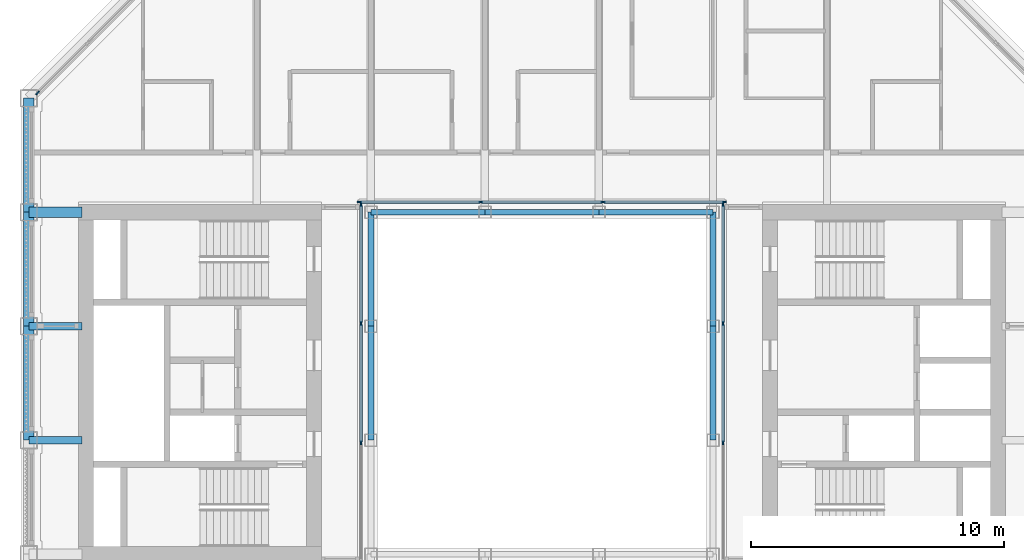
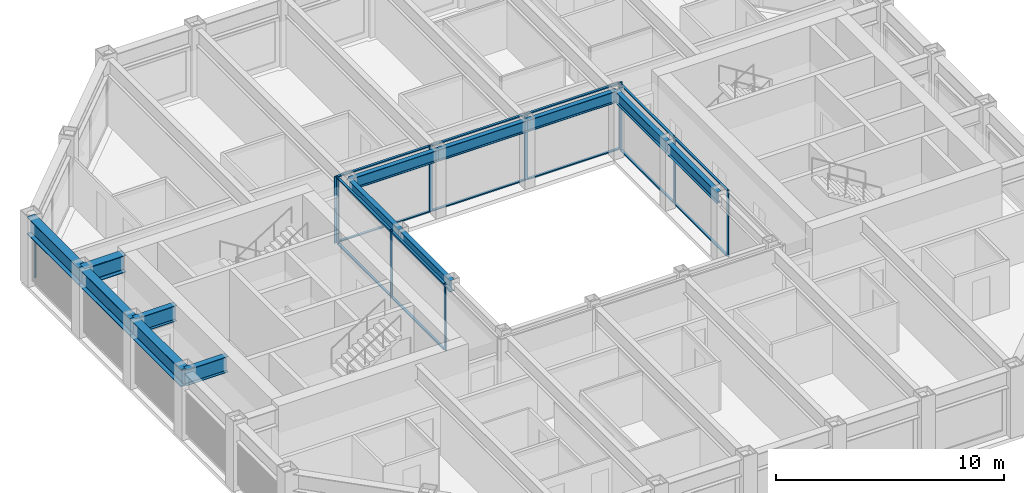
# One storey, part 4 of 18: 25 members, 13 beams, 4 elements without a shape of their own.
"""IFC4 building model written with IfcOpenShell, lengths in metres."""

from ifc_helpers import new_model, si_unit, direction, frame, origin, origin_2d, place, context, subcontext, project, spatial, rectangle, i_section, extrude, material, material_profile, profile_set, type_object, element, aggregate, save


model = new_model("IFC4")

# Units and contexts
model_context = context("Model", 3, precision=1e-05, world=origin(), true_north=direction((0.0, 1.0)))
body_context = subcontext(model_context, "Body", "Model", "MODEL_VIEW")
ifc_project = project(units=[si_unit("LENGTHUNIT", "METRE"), si_unit("AREAUNIT", "SQUARE_METRE"), si_unit("VOLUMEUNIT", "CUBIC_METRE"), si_unit("PLANEANGLEUNIT", "RADIAN"), si_unit("MASSUNIT", "GRAM", prefix="KILO")], contexts=[model_context])

# Site, building, storey
site_placement = place(None, origin())
site = spatial("IfcSite", under=ifc_project, at=site_placement, CompositionType="ELEMENT")
building_placement = place(site_placement, origin())
building = spatial("IfcBuilding", under=site, at=building_placement, Name="Msasa Ring Tower", CompositionType="ELEMENT")
storey_placement = place(building_placement, frame((0.0, 0.0, 230.800048828125)))
storey = spatial("IfcBuildingStorey", under=building, at=storey_placement, Name="L60", CompositionType="ELEMENT", Elevation=230.800048828125)

# Curtain wall, member
ifc_material_1 = material(Name="Aluminium curtain wall with clear glass", Category="aluminium")
curtain_wall_type_1 = type_object("IfcCurtainWallType", Name="CW-C CHAMFER CORNER CURTAIN WALL", PredefinedType="NOTDEFINED", material=ifc_material_1)
curtain_wall_1_placement = place(storey_placement, origin())
curtain_wall_1 = element("IfcCurtainWall", 1, at=curtain_wall_1_placement, inside=storey, type_object=curtain_wall_type_1, Name="Chamfer corner curtain wall NW L60", PredefinedType="NOTDEFINED")
ifc_material_2 = material(Name="Aluminium mullion", Category="aluminium")
ifc_material_profile_1 = material_profile(ifc_material_2, rectangle(XDim=0.06494140625, YDim=0.179931640625, at=origin_2d()), Name="AL 65x180")
ifc_profile_set_1 = profile_set([ifc_material_profile_1], Name="Aluminium mullion")
member_type_1 = type_object("IfcMemberType", Name="CW-C MULLION 65x180", PredefinedType="MULLION", material=ifc_profile_set_1)
member_1_placement = place(storey_placement, frame((-19.9052734375, 11.453369140625, 0.0), z_axis=(0.0, 0.0, 1.0), x_axis=(0.707106781187, -0.707106781187, 0.0)))
member_1 = element("IfcMember", 2, at=member_1_placement, type_object=member_type_1, Name="CW-C mullion 3", PredefinedType="MULLION", context=body_context, shape_type="SweptSolid", body=[
    extrude(rectangle(XDim=0.06494140625, YDim=0.179931640625, at=origin_2d()), origin(), (0.0, 0.0, 1.0), 2.62890625),
])
aggregate(curtain_wall_1, [member_1])

# Curtain wall, members
ifc_material_3 = material(Name="Aluminium curtain wall with clear glass", Category="aluminium")
curtain_wall_type_2 = type_object("IfcCurtainWallType", Name="CW-W LIGHT WELL CURTAIN WALL", PredefinedType="NOTDEFINED", material=ifc_material_3)
curtain_wall_2_placement = place(storey_placement, origin())
curtain_wall_2 = element("IfcCurtainWall", 3, at=curtain_wall_2_placement, inside=storey, type_object=curtain_wall_type_2, Name="Light well curtain wall N L60", PredefinedType="NOTDEFINED")
ifc_material_4 = material(Name="Aluminium mullion", Category="aluminium")
ifc_material_profile_2 = material_profile(ifc_material_4, rectangle(XDim=0.06005859375, YDim=0.159912109375, at=origin_2d()), Name="AL 60x160")
ifc_profile_set_2 = profile_set([ifc_material_profile_2], Name="Aluminium mullion")
member_type_2 = type_object("IfcMemberType", Name="CW-W MULLION 60x160", PredefinedType="MULLION", material=ifc_profile_set_2)
member_2_placement = place(storey_placement, frame((-7.199951171875, 7.14990234375, 0.0), z_axis=(0.0, 0.0, 1.0), x_axis=(0.0, 1.0, 0.0)))
member_2 = element("IfcMember", 4, at=member_2_placement, type_object=member_type_2, Name="CW-W mullion 1", PredefinedType="MULLION", context=body_context, shape_type="SweptSolid", body=[
    extrude(rectangle(XDim=0.06005859375, YDim=0.159912109375, at=origin_2d()), origin(), (0.0, 0.0, 1.0), 3.550048828125),
])
member_3_placement = place(storey_placement, frame((-2.409912109375, 7.14990234375, 0.0), z_axis=(0.0, 0.0, 1.0), x_axis=(0.0, 1.0, 0.0)))
member_3 = element("IfcMember", 5, at=member_3_placement, type_object=member_type_2, Name="CW-W mullion 2", PredefinedType="MULLION", context=body_context, shape_type="SweptSolid", body=[
    extrude(rectangle(XDim=0.06005859375, YDim=0.159912109375, at=origin_2d()), origin(), (0.0, 0.0, 1.0), 3.550048828125),
])
member_4_placement = place(storey_placement, frame((2.409912109375, 7.14990234375, 0.0), z_axis=(0.0, 0.0, 1.0), x_axis=(0.0, 1.0, 0.0)))
member_4 = element("IfcMember", 6, at=member_4_placement, type_object=member_type_2, Name="CW-W mullion 3", PredefinedType="MULLION", context=body_context, shape_type="SweptSolid", body=[
    extrude(rectangle(XDim=0.06005859375, YDim=0.159912109375, at=origin_2d()), origin(), (0.0, 0.0, 1.0), 3.550048828125),
])
member_5_placement = place(storey_placement, frame((7.199951171875, 7.14990234375, 0.0), z_axis=(0.0, 0.0, 1.0), x_axis=(0.0, 1.0, 0.0)))
member_5 = element("IfcMember", 7, at=member_5_placement, type_object=member_type_2, Name="CW-W mullion 4", PredefinedType="MULLION", context=body_context, shape_type="SweptSolid", body=[
    extrude(rectangle(XDim=0.06005859375, YDim=0.159912109375, at=origin_2d()), origin(), (0.0, 0.0, 1.0), 3.550048828125),
])

curtain_wall_3_placement = place(storey_placement, origin())
curtain_wall_3 = element("IfcCurtainWall", 8, at=curtain_wall_3_placement, inside=storey, type_object=curtain_wall_type_2, Name="Light well curtain wall E L60", PredefinedType="NOTDEFINED")
member_6_placement = place(storey_placement, frame((7.14990234375, -2.356689453125, 0.0), z_axis=(0.0, 0.0, 1.0), x_axis=(-1.0, 0.0, 0.0)))
member_6 = element("IfcMember", 9, at=member_6_placement, type_object=member_type_2, Name="CW-W mullion 2", PredefinedType="MULLION", context=body_context, shape_type="SweptSolid", body=[
    extrude(rectangle(XDim=0.06005859375, YDim=0.159912109375, at=origin_2d()), origin(), (0.0, 0.0, 1.0), 3.550048828125),
])
member_7_placement = place(storey_placement, frame((7.14990234375, 2.356689453125, 0.0), z_axis=(0.0, 0.0, 1.0), x_axis=(-1.0, 0.0, 0.0)))
member_7 = element("IfcMember", 10, at=member_7_placement, type_object=member_type_2, Name="CW-W mullion 3", PredefinedType="MULLION", context=body_context, shape_type="SweptSolid", body=[
    extrude(rectangle(XDim=0.06005859375, YDim=0.159912109375, at=origin_2d()), origin(), (0.0, 0.0, 1.0), 3.550048828125),
])
member_8_placement = place(storey_placement, frame((7.14990234375, 7.0400390625, 0.0), z_axis=(0.0, 0.0, 1.0), x_axis=(-1.0, 0.0, 0.0)))
member_8 = element("IfcMember", 11, at=member_8_placement, type_object=member_type_2, Name="CW-W mullion 4", PredefinedType="MULLION", context=body_context, shape_type="SweptSolid", body=[
    extrude(rectangle(XDim=0.06005859375, YDim=0.159912109375, at=origin_2d()), origin(), (0.0, 0.0, 1.0), 3.550048828125),
])

curtain_wall_4_placement = place(storey_placement, origin())
curtain_wall_4 = element("IfcCurtainWall", 12, at=curtain_wall_4_placement, inside=storey, type_object=curtain_wall_type_2, Name="Light well curtain wall W L60", PredefinedType="NOTDEFINED")
member_9_placement = place(storey_placement, frame((-7.14990234375, -2.356689453125, 0.0), z_axis=(0.0, 0.0, 1.0), x_axis=(-1.0, 0.0, 0.0)))
member_9 = element("IfcMember", 13, at=member_9_placement, type_object=member_type_2, Name="CW-W mullion 2", PredefinedType="MULLION", context=body_context, shape_type="SweptSolid", body=[
    extrude(rectangle(XDim=0.06005859375, YDim=0.159912109375, at=origin_2d()), origin(), (0.0, 0.0, 1.0), 3.550048828125),
])
member_10_placement = place(storey_placement, frame((-7.14990234375, 2.356689453125, 0.0), z_axis=(0.0, 0.0, 1.0), x_axis=(-1.0, 0.0, 0.0)))
member_10 = element("IfcMember", 14, at=member_10_placement, type_object=member_type_2, Name="CW-W mullion 3", PredefinedType="MULLION", context=body_context, shape_type="SweptSolid", body=[
    extrude(rectangle(XDim=0.06005859375, YDim=0.159912109375, at=origin_2d()), origin(), (0.0, 0.0, 1.0), 3.550048828125),
])
member_11_placement = place(storey_placement, frame((-7.14990234375, 7.0400390625, 0.0), z_axis=(0.0, 0.0, 1.0), x_axis=(-1.0, 0.0, 0.0)))
member_11 = element("IfcMember", 15, at=member_11_placement, type_object=member_type_2, Name="CW-W mullion 4", PredefinedType="MULLION", context=body_context, shape_type="SweptSolid", body=[
    extrude(rectangle(XDim=0.06005859375, YDim=0.159912109375, at=origin_2d()), origin(), (0.0, 0.0, 1.0), 3.550048828125),
])

# Member
ifc_material_5 = material(Name="Aluminium transom", Category="aluminium")
ifc_material_profile_3 = material_profile(ifc_material_5, rectangle(XDim=0.1201171875, YDim=0.06005859375, at=origin_2d()), Name="AL 60x120")
ifc_profile_set_3 = profile_set([ifc_material_profile_3], Name="Aluminium transom")
member_type_3 = type_object("IfcMemberType", Name="CW-W TRANSOM 60x120", PredefinedType="USERDEFINED", material=ifc_profile_set_3)
member_12_placement = place(storey_placement, frame((-7.169921875, 7.14990234375, 0.030029296875), z_axis=(1.0, 0.0, 0.0), x_axis=(0.0, 1.0, 0.0)))
member_12 = element("IfcMember", 16, at=member_12_placement, type_object=member_type_3, Name="CW-W transom 1.1", ObjectType="TRANSOM", PredefinedType="USERDEFINED", context=body_context, shape_type="SweptSolid", body=[
    extrude(rectangle(XDim=0.1201171875, YDim=0.06005859375, at=origin_2d()), origin(), (0.0, 0.0, 1.0), 4.72998046875),
])

member_13_placement = place(storey_placement, frame((-7.169921875, 7.14990234375, 3.52001953125), z_axis=(1.0, 0.0, 0.0), x_axis=(0.0, 1.0, 0.0)))
member_13 = element("IfcMember", 17, at=member_13_placement, type_object=member_type_3, Name="CW-W transom 1.2", ObjectType="TRANSOM", PredefinedType="USERDEFINED", context=body_context, shape_type="SweptSolid", body=[
    extrude(rectangle(XDim=0.1201171875, YDim=0.06005859375, at=origin_2d()), origin(), (0.0, 0.0, 1.0), 4.72998046875),
])

member_14_placement = place(storey_placement, frame((-2.3798828125, 7.14990234375, 0.030029296875), z_axis=(1.0, 0.0, 0.0), x_axis=(0.0, 1.0, 0.0)))
member_14 = element("IfcMember", 18, at=member_14_placement, type_object=member_type_3, Name="CW-W transom 2.1", ObjectType="TRANSOM", PredefinedType="USERDEFINED", context=body_context, shape_type="SweptSolid", body=[
    extrude(rectangle(XDim=0.1201171875, YDim=0.06005859375, at=origin_2d()), origin(), (0.0, 0.0, 1.0), 4.759765625),
])

member_15_placement = place(storey_placement, frame((-2.3798828125, 7.14990234375, 3.52001953125), z_axis=(1.0, 0.0, 0.0), x_axis=(0.0, 1.0, 0.0)))
member_15 = element("IfcMember", 19, at=member_15_placement, type_object=member_type_3, Name="CW-W transom 2.2", ObjectType="TRANSOM", PredefinedType="USERDEFINED", context=body_context, shape_type="SweptSolid", body=[
    extrude(rectangle(XDim=0.1201171875, YDim=0.06005859375, at=origin_2d()), origin(), (0.0, 0.0, 1.0), 4.759765625),
])

member_16_placement = place(storey_placement, frame((2.43994140625, 7.14990234375, 0.030029296875), z_axis=(1.0, 0.0, 0.0), x_axis=(0.0, 1.0, 0.0)))
member_16 = element("IfcMember", 20, at=member_16_placement, type_object=member_type_3, Name="CW-W transom 3.1", ObjectType="TRANSOM", PredefinedType="USERDEFINED", context=body_context, shape_type="SweptSolid", body=[
    extrude(rectangle(XDim=0.1201171875, YDim=0.06005859375, at=origin_2d()), origin(), (0.0, 0.0, 1.0), 4.72998046875),
])

member_17_placement = place(storey_placement, frame((2.43994140625, 7.14990234375, 3.52001953125), z_axis=(1.0, 0.0, 0.0), x_axis=(0.0, 1.0, 0.0)))
member_17 = element("IfcMember", 21, at=member_17_placement, type_object=member_type_3, Name="CW-W transom 3.2", ObjectType="TRANSOM", PredefinedType="USERDEFINED", context=body_context, shape_type="SweptSolid", body=[
    extrude(rectangle(XDim=0.1201171875, YDim=0.06005859375, at=origin_2d()), origin(), (0.0, 0.0, 1.0), 4.72998046875),
])

aggregate(curtain_wall_2, [member_2, member_3, member_4, member_5, member_12, member_13, member_14, member_15, member_16, member_17])

member_18_placement = place(storey_placement, frame((7.14990234375, -2.32666015625, 0.030029296875), z_axis=(0.0, 1.0, 0.0), x_axis=(-1.0, 0.0, 0.0)))
member_18 = element("IfcMember", 22, at=member_18_placement, type_object=member_type_3, Name="CW-W transom 2.1", ObjectType="TRANSOM", PredefinedType="USERDEFINED", context=body_context, shape_type="SweptSolid", body=[
    extrude(rectangle(XDim=0.1201171875, YDim=0.06005859375, at=origin_2d()), origin(), (0.0, 0.0, 1.0), 4.6533203125),
])

member_19_placement = place(storey_placement, frame((7.14990234375, -2.32666015625, 3.52001953125), z_axis=(0.0, 1.0, 0.0), x_axis=(-1.0, 0.0, 0.0)))
member_19 = element("IfcMember", 23, at=member_19_placement, type_object=member_type_3, Name="CW-W transom 2.2", ObjectType="TRANSOM", PredefinedType="USERDEFINED", context=body_context, shape_type="SweptSolid", body=[
    extrude(rectangle(XDim=0.1201171875, YDim=0.06005859375, at=origin_2d()), origin(), (0.0, 0.0, 1.0), 4.6533203125),
])

member_20_placement = place(storey_placement, frame((7.14990234375, 2.38671875, 0.030029296875), z_axis=(0.0, 1.0, 0.0), x_axis=(-1.0, 0.0, 0.0)))
member_20 = element("IfcMember", 24, at=member_20_placement, type_object=member_type_3, Name="CW-W transom 3.1", ObjectType="TRANSOM", PredefinedType="USERDEFINED", context=body_context, shape_type="SweptSolid", body=[
    extrude(rectangle(XDim=0.1201171875, YDim=0.06005859375, at=origin_2d()), origin(), (0.0, 0.0, 1.0), 4.623291015625),
])

member_21_placement = place(storey_placement, frame((7.14990234375, 2.38671875, 3.52001953125), z_axis=(0.0, 1.0, 0.0), x_axis=(-1.0, 0.0, 0.0)))
member_21 = element("IfcMember", 25, at=member_21_placement, type_object=member_type_3, Name="CW-W transom 3.2", ObjectType="TRANSOM", PredefinedType="USERDEFINED", context=body_context, shape_type="SweptSolid", body=[
    extrude(rectangle(XDim=0.1201171875, YDim=0.06005859375, at=origin_2d()), origin(), (0.0, 0.0, 1.0), 4.623291015625),
])

aggregate(curtain_wall_3, [member_6, member_7, member_8, member_18, member_19, member_20, member_21])

member_22_placement = place(storey_placement, frame((-7.14990234375, -2.32666015625, 0.030029296875), z_axis=(0.0, 1.0, 0.0), x_axis=(-1.0, 0.0, 0.0)))
member_22 = element("IfcMember", 26, at=member_22_placement, type_object=member_type_3, Name="CW-W transom 2.1", ObjectType="TRANSOM", PredefinedType="USERDEFINED", context=body_context, shape_type="SweptSolid", body=[
    extrude(rectangle(XDim=0.1201171875, YDim=0.06005859375, at=origin_2d()), origin(), (0.0, 0.0, 1.0), 4.6533203125),
])

member_23_placement = place(storey_placement, frame((-7.14990234375, -2.32666015625, 3.52001953125), z_axis=(0.0, 1.0, 0.0), x_axis=(-1.0, 0.0, 0.0)))
member_23 = element("IfcMember", 27, at=member_23_placement, type_object=member_type_3, Name="CW-W transom 2.2", ObjectType="TRANSOM", PredefinedType="USERDEFINED", context=body_context, shape_type="SweptSolid", body=[
    extrude(rectangle(XDim=0.1201171875, YDim=0.06005859375, at=origin_2d()), origin(), (0.0, 0.0, 1.0), 4.6533203125),
])

member_24_placement = place(storey_placement, frame((-7.14990234375, 2.38671875, 0.030029296875), z_axis=(0.0, 1.0, 0.0), x_axis=(-1.0, 0.0, 0.0)))
member_24 = element("IfcMember", 28, at=member_24_placement, type_object=member_type_3, Name="CW-W transom 3.1", ObjectType="TRANSOM", PredefinedType="USERDEFINED", context=body_context, shape_type="SweptSolid", body=[
    extrude(rectangle(XDim=0.1201171875, YDim=0.06005859375, at=origin_2d()), origin(), (0.0, 0.0, 1.0), 4.623291015625),
])

member_25_placement = place(storey_placement, frame((-7.14990234375, 2.38671875, 3.52001953125), z_axis=(0.0, 1.0, 0.0), x_axis=(-1.0, 0.0, 0.0)))
member_25 = element("IfcMember", 29, at=member_25_placement, type_object=member_type_3, Name="CW-W transom 3.2", ObjectType="TRANSOM", PredefinedType="USERDEFINED", context=body_context, shape_type="SweptSolid", body=[
    extrude(rectangle(XDim=0.1201171875, YDim=0.06005859375, at=origin_2d()), origin(), (0.0, 0.0, 1.0), 4.623291015625),
])

aggregate(curtain_wall_4, [member_9, member_10, member_11, member_22, member_23, member_24, member_25])

# Beams
ifc_material_6 = material(Name="Steel S355", Category="steel")
ifc_material_profile_4 = material_profile(ifc_material_6, i_section(OverallWidth=0.293701171875, OverallDepth=0.850830078125, WebThickness=0.01611328125, FlangeThickness=0.02685546875, FilletRadius=0.017822265625, at=origin_2d()), Name="UB 838x292x226")
ifc_profile_set_4 = profile_set([ifc_material_profile_4], Name="Steel S355")
beam_type_1 = type_object("IfcBeamType", Name="FB5 UB 838x292x226", PredefinedType="BEAM", material=ifc_profile_set_4)
for number, where, z_axis, x_axis, name in (
    (30, (-20.25, -2.25, 3.12451171875), (1.0, 0.0, 0.0), (0.0, 1.0, 0.0), "Floor beam W -2.25 under L61"),
    (31, (-20.25, 2.25, 3.12451171875), (1.0, 0.0, 0.0), (0.0, 1.0, 0.0), "Floor beam W +2.25 under L61"),
):
    element("IfcBeam", number, at=place(storey_placement, frame(where, z_axis=z_axis, x_axis=x_axis)), inside=storey, type_object=beam_type_1, Name=name, PredefinedType="BEAM", context=body_context, shape_type="SweptSolid", body=[
        extrude(i_section(OverallWidth=0.293701171875, OverallDepth=0.850830078125, WebThickness=0.01611328125, FlangeThickness=0.02685546875, FilletRadius=0.017822265625, at=origin_2d()), origin(), (0.0, 0.0, 1.0), 2.10009765625),
    ])
ifc_material_7 = material(Name="Steel S355", Category="steel")
ifc_material_profile_5 = material_profile(ifc_material_7, i_section(OverallWidth=0.42041015625, OverallDepth=0.9208984375, WebThickness=0.021484375, FlangeThickness=0.03662109375, FilletRadius=0.024169921875, at=origin_2d()), Name="UB 914x419x388")
ifc_profile_set_5 = profile_set([ifc_material_profile_5], Name="Steel S355")
beam_type_2 = type_object("IfcBeamType", Name="GB1 UB 914x419x388", PredefinedType="BEAM", material=ifc_profile_set_5)
beam_placement = place(storey_placement, frame((-18.14990234375, 6.75, 3.08935546875), z_axis=(-1.0, 0.0, 0.0), x_axis=(0.0, -1.0, 0.0)))
element("IfcBeam", 32, at=beam_placement, inside=storey, type_object=beam_type_2, Name="Girder W +6.75 under L61", PredefinedType="BEAM", context=body_context, shape_type="SweptSolid", body=[
    extrude(i_section(OverallWidth=0.42041015625, OverallDepth=0.9208984375, WebThickness=0.021484375, FlangeThickness=0.03662109375, FilletRadius=0.024169921875, at=origin_2d()), origin(), (0.0, 0.0, 1.0), 2.10009765625),
])
ifc_material_8 = material(Name="Steel S355", Category="steel")
ifc_material_profile_6 = material_profile(ifc_material_8, i_section(OverallWidth=0.230224609375, OverallDepth=0.6171875, WebThickness=0.01318359375, FlangeThickness=0.022216796875, FilletRadius=0.0126953125, at=origin_2d()), Name="UB 610x229x140")
ifc_profile_set_6 = profile_set([ifc_material_profile_6], Name="Steel S355")
beam_type_3 = type_object("IfcBeamType", Name="RB1 UB 610x229x140", PredefinedType="BEAM", material=ifc_profile_set_6)
for number, where, z_axis, x_axis, name in (
    (33, (6.75, -2.25, 3.241455078125), (0.0, 1.0, 0.0), (-1.0, 0.0, 0.0), "Inner ring beam IR+6.75-2.25 under L61"),
    (34, (6.75, 2.25, 3.241455078125), (0.0, 1.0, 0.0), (-1.0, 0.0, 0.0), "Inner ring beam IR+6.75+2.25 under L61"),
    (35, (6.75, 6.75, 3.241455078125), (-1.0, 0.0, 0.0), (0.0, -1.0, 0.0), "Inner ring beam IR+6.75+6.75 under L61"),
    (36, (2.25, 6.75, 3.241455078125), (-1.0, 0.0, 0.0), (0.0, -1.0, 0.0), "Inner ring beam IR+2.25+6.75 under L61"),
    (37, (-2.25, 6.75, 3.241455078125), (-1.0, 0.0, 0.0), (0.0, -1.0, 0.0), "Inner ring beam IR-2.25+6.75 under L61"),
    (38, (-6.75, 6.75, 3.241455078125), (0.0, -1.0, 0.0), (1.0, 0.0, 0.0), "Inner ring beam IR-6.75+6.75 under L61"),
    (39, (-6.75, 2.25, 3.241455078125), (0.0, -1.0, 0.0), (1.0, 0.0, 0.0), "Inner ring beam IR-6.75+2.25 under L61"),
):
    element("IfcBeam", number, at=place(storey_placement, frame(where, z_axis=z_axis, x_axis=x_axis)), inside=storey, type_object=beam_type_3, Name=name, PredefinedType="BEAM", context=body_context, shape_type="SweptSolid", body=[
        extrude(i_section(OverallWidth=0.230224609375, OverallDepth=0.6171875, WebThickness=0.01318359375, FlangeThickness=0.022216796875, FilletRadius=0.0126953125, at=origin_2d()), origin(), (0.0, 0.0, 1.0), 4.5),
    ])
ifc_material_9 = material(Name="Steel S355", Category="steel")
ifc_material_profile_7 = material_profile(ifc_material_9, i_section(OverallWidth=0.42041015625, OverallDepth=0.9208984375, WebThickness=0.021484375, FlangeThickness=0.03662109375, FilletRadius=0.024169921875, at=origin_2d()), Name="UB 914x419x388")
ifc_profile_set_7 = profile_set([ifc_material_profile_7], Name="Steel S355")
beam_type_4 = type_object("IfcBeamType", Name="SB1 UB 914x419x388", PredefinedType="SPANDREL", material=ifc_profile_set_7)
for number, where, z_axis, x_axis, name in (
    (40, (-20.25, 11.25, 3.08935546875), (0.0, -1.0, 0.0), (1.0, 0.0, 0.0), "Spandrel W+11.25 to W+6.75 under L61"),
    (41, (-20.25, 6.75, 3.08935546875), (0.0, -1.0, 0.0), (1.0, 0.0, 0.0), "Spandrel W+6.75 to W+2.25 under L61"),
    (42, (-20.25, 2.25, 3.08935546875), (0.0, -1.0, 0.0), (1.0, 0.0, 0.0), "Spandrel W+2.25 to W-2.25 under L61"),
):
    element("IfcBeam", number, at=place(storey_placement, frame(where, z_axis=z_axis, x_axis=x_axis)), inside=storey, type_object=beam_type_4, Name=name, PredefinedType="SPANDREL", context=body_context, shape_type="SweptSolid", body=[
        extrude(i_section(OverallWidth=0.42041015625, OverallDepth=0.9208984375, WebThickness=0.021484375, FlangeThickness=0.03662109375, FilletRadius=0.024169921875, at=origin_2d()), origin(), (0.0, 0.0, 1.0), 4.5),
    ])

save(model, "model.ifc")
